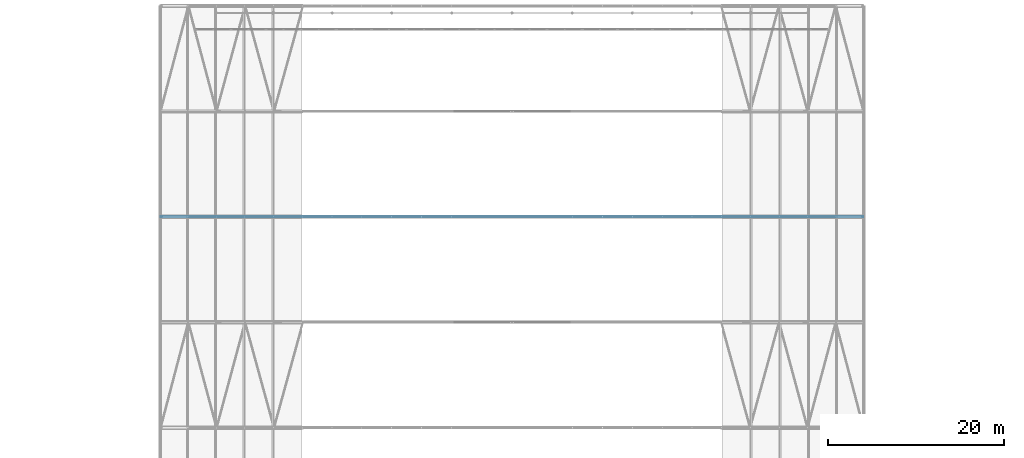
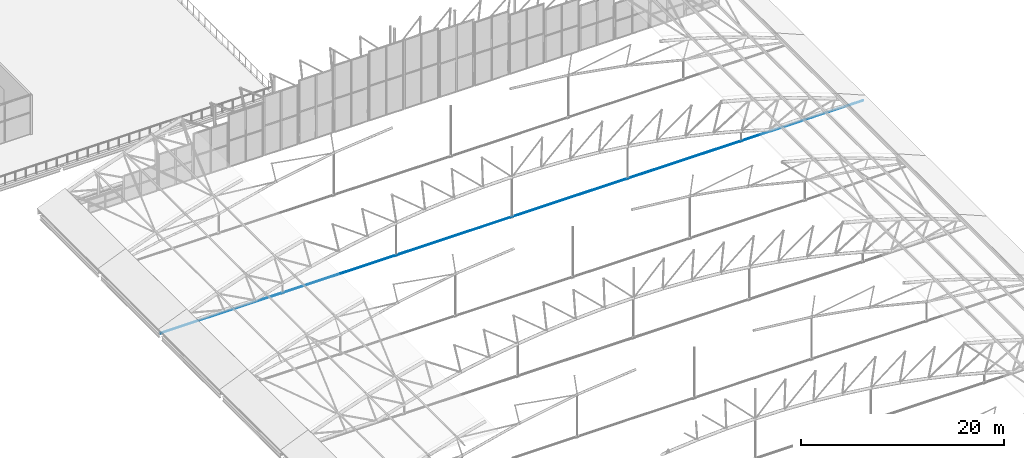
# One storey, part 173 of 321: 1 member.
"""IFC4 building model written with IfcOpenShell, lengths in metres."""

import ifcopenshell
import ifcopenshell.guid

model = None  # the IFC model being written
_history = None  # IfcOwnerHistory: only IFC2X3 demands one
_inside = {}  # id of a spatial element -> (the spatial element, [elements in it])
_under = {}  # id of a project, library or spatial element -> (it, [spatial elements below it])
_declared = {}  # id of a project -> (the project, [libraries it declares])
_typed = {}  # id of a type object -> (the type object, [elements of that type])
_made_of = {}  # id of a material, layer set ... -> (it, [elements and type objects made of it])


def new_model(schema):
    """Start an empty IFC model of exactly this schema.

    Asked for "IFC4X3", IfcOpenShell would pick the latest addendum, in which some entities
    have other attributes; the version numbers below select the first issue.
    IFC2X3 requires an IfcOwnerHistory on every rooted entity: one is made here for all.
    """
    global model, _history
    if schema == "IFC4X3":
        model = ifcopenshell.file(schema_version=(4, 3, 0, 0))
    else:
        model = ifcopenshell.file(schema=schema)
    _inside.clear()
    _under.clear()
    _declared.clear()
    _typed.clear()
    _made_of.clear()
    _history = None
    if model.schema == "IFC2X3":
        org = make("IfcOrganization", Name="unknown")
        user = make(
            "IfcPersonAndOrganization",
            ThePerson=make("IfcPerson", FamilyName="unknown"),
            TheOrganization=org,
        )
        app = make(
            "IfcApplication",
            ApplicationDeveloper=org,
            Version="unknown",
            ApplicationFullName="unknown",
            ApplicationIdentifier="unknown",
        )
        _history = make(
            "IfcOwnerHistory",
            OwningUser=user,
            OwningApplication=app,
            ChangeAction="ADDED",
            CreationDate=0,
        )
    return model


def make(cls, **values):
    """One entity of the class cls with the attributes given. An attribute that is None is left unset."""
    return model.create_entity(
        cls, **{name: value for name, value in values.items() if value is not None}
    )


def rooted(cls, **values):
    """An entity with a GlobalId (a new one), such as an element, a storey or a relation."""
    return make(cls, GlobalId=ifcopenshell.guid.new(), OwnerHistory=_history, **values)


def si_unit(unit_type, name, prefix=None):
    """IfcSIUnit, for example si_unit("LENGTHUNIT", "METRE", prefix="MILLI")."""
    return make("IfcSIUnit", UnitType=unit_type, Prefix=prefix, Name=name)


def assignment(units):
    """IfcUnitAssignment: the units of a project."""
    return None if units is None else make("IfcUnitAssignment", Units=units)


def point(xyz):
    """IfcCartesianPoint."""
    return None if xyz is None else make("IfcCartesianPoint", Coordinates=xyz)


def direction(xyz):
    """IfcDirection."""
    return None if xyz is None else make("IfcDirection", DirectionRatios=xyz)


def frame(location, z_axis=None, x_axis=None):
    """IfcAxis2Placement3D, a coordinate frame: its origin and axes. An axis left out is left unset."""
    return make(
        "IfcAxis2Placement3D",
        Location=point(location),
        Axis=direction(z_axis),
        RefDirection=direction(x_axis),
    )


def frame_2d(location, x_axis=None):
    """IfcAxis2Placement2D, a coordinate frame in the plane: its origin and x axis."""
    return make(
        "IfcAxis2Placement2D", Location=point(location), RefDirection=direction(x_axis)
    )


def origin():
    """The frame at (0, 0, 0) with its axes left unset."""
    return frame((0.0, 0.0, 0.0))


def origin_2d():
    """The frame at (0, 0) in the plane with its x axis left unset."""
    return frame_2d((0.0, 0.0))


def place(relative_to, where):
    """IfcLocalPlacement: puts the frame where relative to a parent placement (None: the world)."""
    return make(
        "IfcLocalPlacement", PlacementRelTo=relative_to, RelativePlacement=where
    )


def context(
    kind, dimensions, precision=None, world=None, true_north=None, identifier=None
):
    """IfcGeometricRepresentationContext, for example the 3D "Model" context."""
    return make(
        "IfcGeometricRepresentationContext",
        ContextIdentifier=identifier,
        ContextType=kind,
        CoordinateSpaceDimension=dimensions,
        Precision=precision,
        WorldCoordinateSystem=world,
        TrueNorth=true_north,
    )


def subcontext(parent, identifier, kind, view, scale=None):
    """IfcGeometricRepresentationSubContext, for example "Body" below "Model"."""
    return make(
        "IfcGeometricRepresentationSubContext",
        ContextIdentifier=identifier,
        ContextType=kind,
        ParentContext=parent,
        TargetScale=scale,
        TargetView=view,
    )


def project(units=None, contexts=None):
    """IfcProject with its units and contexts."""
    return rooted(
        "IfcProject",
        Name="project",
        RepresentationContexts=contexts,
        UnitsInContext=assignment(units),
    )


def spatial(cls, under=None, at=None, **own):
    """A site, building, storey or space (cls), placed at a placement, below another one or the project."""
    s = rooted(cls, ObjectPlacement=at, **own)
    if under is not None:
        _under.setdefault(under.id(), (under, []))[1].append(s)
    return s


def profile(cls, at=None, kind="AREA", **sizes):
    """A parametric profile (cls). Its sizes go by their IFC names, for example OverallWidth=200.0."""
    return make(cls, ProfileType=kind, Position=at, **sizes)


def circle(**sizes):
    """IfcCircleProfileDef."""
    return profile("IfcCircleProfileDef", **sizes)


def extrude(swept, where, along, depth):
    """IfcExtrudedAreaSolid: the profile swept, set in the frame where, extruded along a direction by depth."""
    return make(
        "IfcExtrudedAreaSolid",
        SweptArea=swept,
        Position=where,
        ExtrudedDirection=direction(along),
        Depth=depth,
    )


def shape(context_of_items, identifier, shape_type, items):
    """IfcShapeRepresentation: the items that make up one representation, for example the "Body"."""
    return make(
        "IfcShapeRepresentation",
        ContextOfItems=context_of_items,
        RepresentationIdentifier=identifier,
        RepresentationType=shape_type,
        Items=items,
    )


def material(Name=None, Category=None):
    """IfcMaterial."""
    return make("IfcMaterial", Name=Name, Category=Category)


def material_profile(
    of_material, cross_section, Name=None, Category=None, Priority=None
):
    """IfcMaterialProfile: a cross section and its material."""
    return make(
        "IfcMaterialProfile",
        Name=Name,
        Material=of_material,
        Profile=cross_section,
        Priority=Priority,
        Category=Category,
    )


def profile_set(profiles, Name=None, composite=None):
    """IfcMaterialProfileSet."""
    return make(
        "IfcMaterialProfileSet",
        Name=Name,
        MaterialProfiles=profiles,
        CompositeProfile=composite,
    )


def made_of(thing, what):
    """Note that an element or type object is made of a material, layer set ...; save() writes the relation."""
    if what is not None:
        _made_of.setdefault(what.id(), (what, []))[1].append(thing)
    return thing


def type_object(cls, material=None, **own):
    """A type object (cls), such as IfcWallType, which elements share."""
    return made_of(rooted(cls, **own), material)


def element(
    cls,
    number,
    at=None,
    inside=None,
    cuts=None,
    type_object=None,
    material=None,
    context=None,
    identifier="Body",
    shape_type=None,
    held_by="IfcProductDefinitionShape",
    body=None,
    shapes=None,
    **own,
):
    """One element of the class cls, such as IfcWall. Its Tag is "e" and its number.

    at: its placement. inside: the storey or other place that contains it. cuts: it is an
    opening in that element (IfcRelVoidsElement). A single representation is given by context,
    identifier, shape_type and body (its items); several are given by shapes. held_by: the class
    of the entity that holds the representations. save() writes the other relations.
    """
    e = rooted(cls, Tag="e%d" % number, ObjectPlacement=at, **own)
    if body is not None:
        shapes = [shape(context, identifier, shape_type, body)]
    if shapes is not None:
        e.Representation = make(held_by, Representations=shapes)
    if inside is not None:
        _inside.setdefault(inside.id(), (inside, []))[1].append(e)
    if cuts is not None:
        rooted(
            "IfcRelVoidsElement", RelatingBuildingElement=cuts, RelatedOpeningElement=e
        )
    if type_object is not None:
        _typed.setdefault(type_object.id(), (type_object, []))[1].append(e)
    return made_of(e, material)


def aggregate(whole, parts):
    """IfcRelAggregates: a whole, such as a stair, and the parts it consists of."""
    return rooted("IfcRelAggregates", RelatingObject=whole, RelatedObjects=parts)


def save(model, path):
    """Write the relations noted so far, then the file.

    IfcRelAggregates (storeys below a building ...), IfcRelContainedInSpatialStructure (elements
    in a storey), IfcRelDefinesByType, IfcRelAssociatesMaterial and IfcRelDeclares: one each for
    every whole, place, type object, material and project.
    """
    for whole, parts in _under.values():
        aggregate(whole, parts)
    for where, things in _inside.values():
        rooted(
            "IfcRelContainedInSpatialStructure",
            RelatedElements=things,
            RelatingStructure=where,
        )
    for kind, things in _typed.values():
        rooted("IfcRelDefinesByType", RelatedObjects=things, RelatingType=kind)
    for what, things in _made_of.values():
        rooted("IfcRelAssociatesMaterial", RelatedObjects=things, RelatingMaterial=what)
    for by, libraries in _declared.values():
        rooted("IfcRelDeclares", RelatingContext=by, RelatedDefinitions=libraries)
    model.write(path)


model = new_model("IFC4")

# Units and contexts
model_context = context("Model", 3, precision=1e-05, world=origin(), true_north=direction((0.0, 1.0)))
body_context = subcontext(model_context, "Body", "Model", "MODEL_VIEW")
ifc_project = project(units=[si_unit("LENGTHUNIT", "METRE"), si_unit("AREAUNIT", "SQUARE_METRE"), si_unit("VOLUMEUNIT", "CUBIC_METRE"), si_unit("PLANEANGLEUNIT", "RADIAN"), si_unit("MASSUNIT", "GRAM", prefix="KILO")], contexts=[model_context])

# Site, building, storey
site_placement = place(None, origin())
site = spatial("IfcSite", under=ifc_project, at=site_placement, CompositionType="ELEMENT")
building_placement = place(site_placement, origin())
building = spatial("IfcBuilding", under=site, at=building_placement, Name="Ravi Spectrum Wholesale Market", CompositionType="ELEMENT")
storey_placement = place(building_placement, frame((0.0, 0.0, 10.800048828125)))
storey = spatial("IfcBuildingStorey", under=building, at=storey_placement, Name="L02", CompositionType="ELEMENT", Elevation=10.800048828125)

# Member
ifc_material = material(Name="Steel S460", Category="steel")
ifc_material_profile = material_profile(ifc_material, circle(Radius=0.044921875, at=origin_2d()))
ifc_profile_set = profile_set([ifc_material_profile], Name="Steel S460")
member_type = type_object("IfcMemberType", Name="ROD 90 tie", PredefinedType="BRACE", material=ifc_profile_set)
member_placement = place(storey_placement, frame((30.0, 174.0, 0.0), z_axis=(1.0, 0.0, 0.0), x_axis=(0.0, 1.0, 0.0)))
element("IfcMember", 1, at=member_placement, inside=storey, type_object=member_type, Name="H1-MB-L02-1066", PredefinedType="BRACE", context=body_context, shape_type="SweptSolid", body=[
    extrude(circle(Radius=0.044921875, at=origin_2d()), origin(), (0.0, 0.0, 1.0), 80.0),
])

save(model, "model.ifc")
